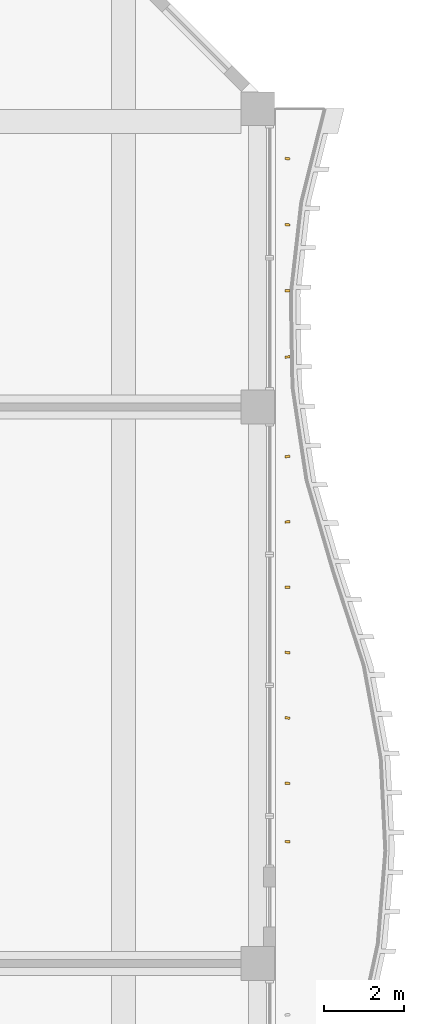
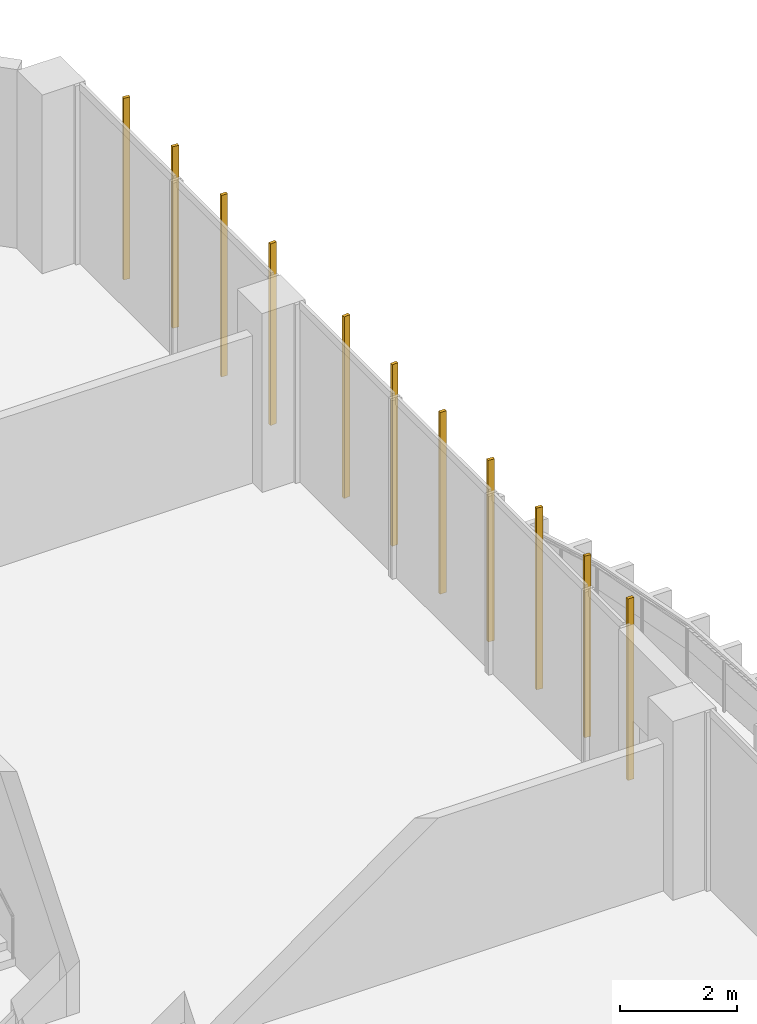
# One storey, part 26 of 26: 11 shading devices.
"""IFC4 building model written with IfcOpenShell, lengths in metres."""

from ifc_helpers import new_model, si_unit, direction, frame, origin, origin_2d, place, context, subcontext, project, spatial, rectangle, extrude, source, transform, mapped, material, material_profile, profile_set, type_object, element, save


model = new_model("IFC4")

# Units and contexts
model_context = context("Model", 3, precision=1e-05, world=origin(), true_north=direction((0.0, 1.0)))
body_context = subcontext(model_context, "Body", "Model", "MODEL_VIEW")
ifc_project = project(units=[si_unit("LENGTHUNIT", "METRE"), si_unit("AREAUNIT", "SQUARE_METRE"), si_unit("VOLUMEUNIT", "CUBIC_METRE"), si_unit("PLANEANGLEUNIT", "RADIAN"), si_unit("MASSUNIT", "GRAM", prefix="KILO")], contexts=[model_context])

# Site, building, storey
site_placement = place(None, origin())
site = spatial("IfcSite", under=ifc_project, at=site_placement, CompositionType="ELEMENT")
building_placement = place(site_placement, origin())
building = spatial("IfcBuilding", under=site, at=building_placement, Name="Kilnfold Tower and Market Hall", CompositionType="ELEMENT")
storey_placement = place(building_placement, frame((0.0, 0.0, 104.60009765625)))
storey = spatial("IfcBuildingStorey", under=building, at=storey_placement, Name="L24", CompositionType="ELEMENT", Elevation=104.60009765625)

# Shading devices
ifc_material = material(Name="Terracotta", Category="masonry")
ifc_material_profile = material_profile(ifc_material, rectangle(XDim=0.06005859375, YDim=0.1201171875, at=origin_2d()), Name="BAG 60x120")
ifc_profile_set = profile_set([ifc_material_profile], Name="Terracotta")
shading_device_type = type_object("IfcShadingDeviceType", Name="BAGUETTE", PredefinedType="USERDEFINED", material=ifc_profile_set)
shared_shape = source(origin(), body_context, "Body", "SweptSolid", [
    extrude(rectangle(XDim=0.06005859375, YDim=0.1201171875, at=origin_2d()), origin(), (0.0, 0.0, 1.0), 3.77978515625),
])
for number, where, z_axis, x_axis, name in (
    (1, (33.300048828125, 11.06884765625, 0.0), (0.0, 0.0, 1.0), (0.030484433194, 0.999535241666, 0.0), "Terracotta baguette L24 E"),
    (2, (33.300048828125, 12.534423828125, 0.0), (0.0, 0.0, 1.0), (0.107221988671, 0.994235105569, 0.0), "Terracotta baguette L24 E"),
    (3, (33.300048828125, 14.177978515625, 0.0), (0.0, 0.0, 1.0), (0.139034832098, 0.990287491319, 0.0), "Terracotta baguette L24 E"),
    (4, (33.300048828125, 15.822021484375, 0.0), (0.0, 0.0, 1.0), (0.098850829843, 0.995102262805, 0.0), "Terracotta baguette L24 E"),
    (5, (33.300048828125, 17.465576171875, 0.0), (0.0, 0.0, 1.0), (0.007054562321, 0.999975116266, 0.0), "Terracotta baguette L24 E"),
    (6, (33.300048828125, 19.109375, 0.0), (0.0, 0.0, 1.0), (-0.088456206541, 0.996080066824, 0.0), "Terracotta baguette L24 E"),
    (7, (33.300048828125, 20.753173828125, 0.0), (0.0, 0.0, 1.0), (-0.137703856095, 0.990473446396, 0.0), "Terracotta baguette L24 E"),
    (8, (33.300048828125, 23.256103515625, 0.0), (0.0, 0.0, 1.0), (-0.077987560794, 0.996954332134, 0.0), "Terracotta baguette L24 E"),
    (9, (33.300048828125, 24.918701171875, 0.0), (0.0, 0.0, 1.0), (0.02125301934, 0.999774129076, 0.0), "Terracotta baguette L24 E"),
    (10, (33.300048828125, 26.581298828125, 0.0), (0.0, 0.0, 1.0), (0.109064657635, 0.994034657572, 0.0), "Terracotta baguette L24 E"),
    (11, (33.300048828125, 28.243896484375, 0.0), (0.0, 0.0, 1.0), (0.138791126631, 0.990321676613, 0.0), "Terracotta baguette L24 E"),
):
    element("IfcShadingDevice", number, at=place(storey_placement, frame(where, z_axis=z_axis, x_axis=x_axis)), inside=storey, type_object=shading_device_type, Name=name, ObjectType="BAGUETTE", PredefinedType="USERDEFINED", context=body_context, shape_type="MappedRepresentation", body=[
        mapped(shared_shape, transform((0.0, 0.0, 0.0))),
    ])

save(model, "model.ifc")
